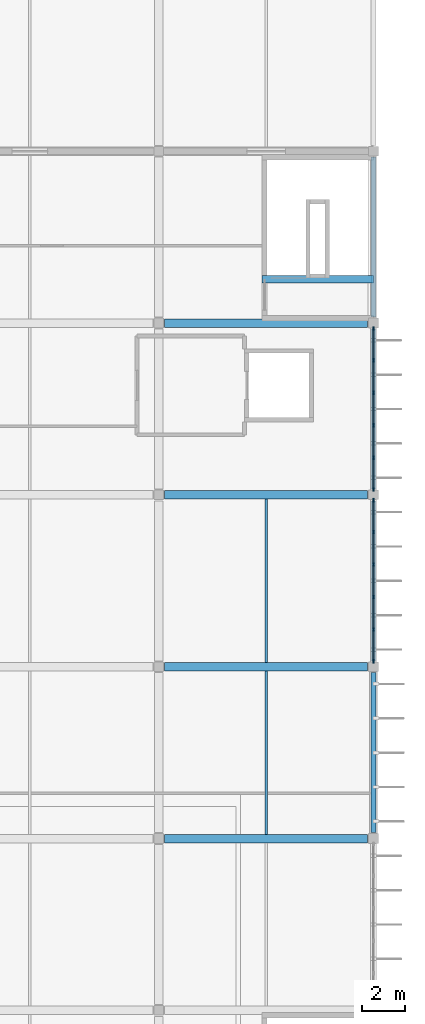
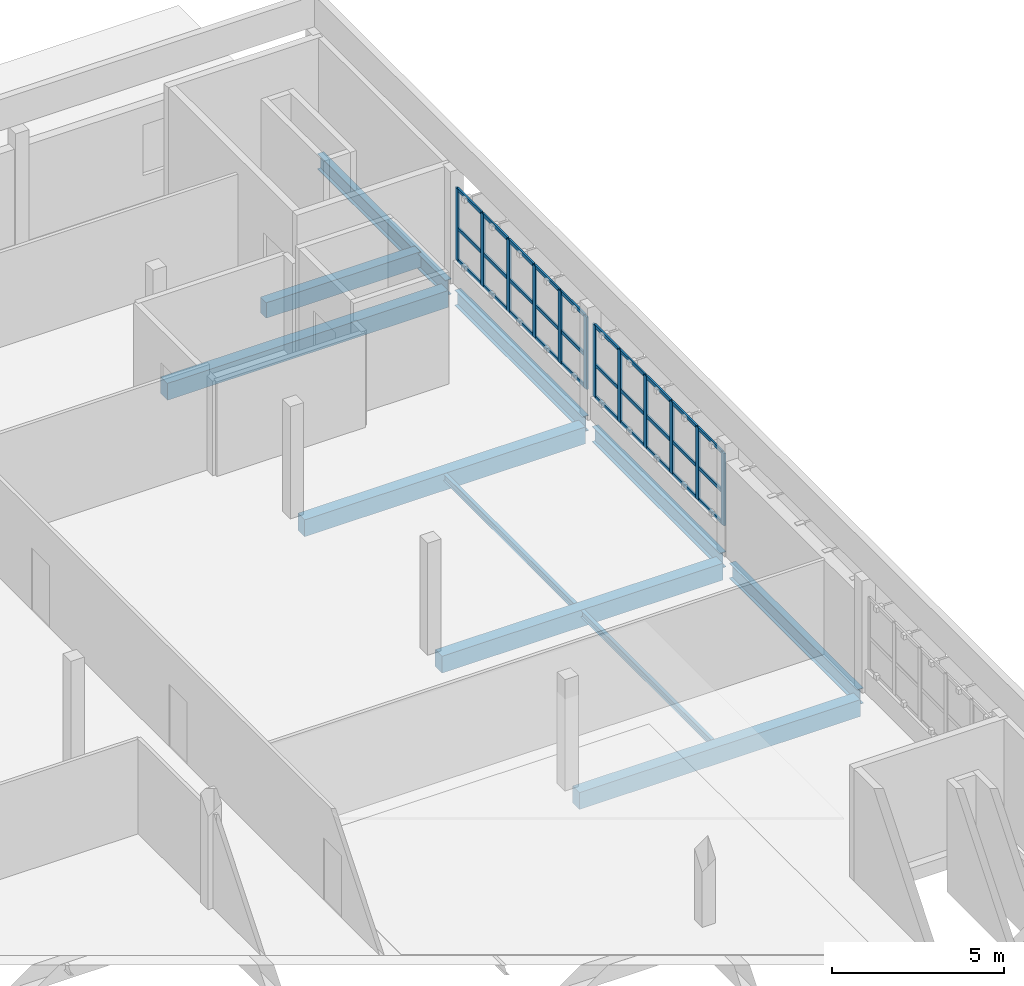
# One storey, part 6 of 12: 42 members, 11 beams, 2 elements without a shape of their own.
"""IFC4 building model written with IfcOpenShell, lengths in metres."""

from ifc_helpers import new_model, si_unit, direction, frame, origin, origin_2d, place, context, subcontext, project, spatial, rectangle, i_section, extrude, material, layer, layer_set, material_profile, profile_set, type_object, element, aggregate, save


model = new_model("IFC4")

# Units and contexts
model_context = context("Model", 3, precision=1e-05, world=origin(), true_north=direction((0.0, 1.0)))
body_context = subcontext(model_context, "Body", "Model", "MODEL_VIEW")
ifc_project = project(units=[si_unit("LENGTHUNIT", "METRE"), si_unit("AREAUNIT", "SQUARE_METRE"), si_unit("VOLUMEUNIT", "CUBIC_METRE"), si_unit("PLANEANGLEUNIT", "RADIAN"), si_unit("MASSUNIT", "GRAM", prefix="KILO")], contexts=[model_context])

# Site, building, storey
site_placement = place(None, origin())
site = spatial("IfcSite", under=ifc_project, at=site_placement, CompositionType="ELEMENT")
building_placement = place(site_placement, origin())
building = spatial("IfcBuilding", under=site, at=building_placement, Name="Drelvana Railside Aquatics Centre", CompositionType="ELEMENT")
storey_placement = place(building_placement, frame((0.0, 0.0, 18.60009765625)))
storey = spatial("IfcBuildingStorey", under=building, at=storey_placement, Name="L04", CompositionType="ELEMENT", Elevation=18.60009765625)

# Curtain wall, members
ifc_material_1 = material(Name="Bronze-anodised aluminium curtain wall", Category="aluminium")
ifc_layer = layer(ifc_material_1, 0.175048828125, Name="Bronze-anodised aluminium curtain wall")
ifc_layer_set = layer_set([ifc_layer], Name="Bronze-anodised aluminium curtain wall")
curtain_wall_type = type_object("IfcCurtainWallType", Name="CW-Z6-WING", PredefinedType="NOTDEFINED", material=ifc_layer_set)
curtain_wall_1_placement = place(storey_placement, origin())
curtain_wall_1 = element("IfcCurtainWall", 1, at=curtain_wall_1_placement, inside=storey, type_object=curtain_wall_type, Name="Curtain wall CW-06-179", PredefinedType="NOTDEFINED")
ifc_material_2 = material(Name="Bronze-anodised aluminium 6063-T6", Category="aluminium")
ifc_material_profile_1 = material_profile(ifc_material_2, rectangle(XDim=0.06494140625, YDim=0.175048828125, at=origin_2d()), Name="ALU-M 65x175")
ifc_profile_set_1 = profile_set([ifc_material_profile_1], Name="Bronze-anodised aluminium 6063-T6")
member_type_1 = type_object("IfcMemberType", Name="CW-Z6-WING-MUL", PredefinedType="MULLION", material=ifc_profile_set_1)
member_1_placement = place(storey_placement, frame((184.0, 56.25146484375, 0.7939453125), z_axis=(0.0, 0.0, 1.0), x_axis=(-1.0, 0.0, 0.0)))
member_1 = element("IfcMember", 2, at=member_1_placement, type_object=member_type_1, Name="CW-06 mullion 1", PredefinedType="MULLION", context=body_context, shape_type="SweptSolid", body=[
    extrude(rectangle(XDim=0.06494140625, YDim=0.175048828125, at=origin_2d()), origin(), (0.0, 0.0, 1.0), 2.571044921875),
])
member_2_placement = place(storey_placement, frame((184.0, 57.7314453125, 0.7939453125), z_axis=(0.0, 0.0, 1.0), x_axis=(-1.0, 0.0, 0.0)))
member_2 = element("IfcMember", 3, at=member_2_placement, type_object=member_type_1, Name="CW-06 mullion 2", PredefinedType="MULLION", context=body_context, shape_type="SweptSolid", body=[
    extrude(rectangle(XDim=0.06494140625, YDim=0.175048828125, at=origin_2d()), origin(), (0.0, 0.0, 1.0), 2.571044921875),
])
member_3_placement = place(storey_placement, frame((184.0, 59.243896484375, 0.7939453125), z_axis=(0.0, 0.0, 1.0), x_axis=(-1.0, 0.0, 0.0)))
member_3 = element("IfcMember", 4, at=member_3_placement, type_object=member_type_1, Name="CW-06 mullion 3", PredefinedType="MULLION", context=body_context, shape_type="SweptSolid", body=[
    extrude(rectangle(XDim=0.06494140625, YDim=0.175048828125, at=origin_2d()), origin(), (0.0, 0.0, 1.0), 2.571044921875),
])
member_4_placement = place(storey_placement, frame((184.0, 60.756103515625, 0.7939453125), z_axis=(0.0, 0.0, 1.0), x_axis=(-1.0, 0.0, 0.0)))
member_4 = element("IfcMember", 5, at=member_4_placement, type_object=member_type_1, Name="CW-06 mullion 4", PredefinedType="MULLION", context=body_context, shape_type="SweptSolid", body=[
    extrude(rectangle(XDim=0.06494140625, YDim=0.175048828125, at=origin_2d()), origin(), (0.0, 0.0, 1.0), 2.571044921875),
])
member_5_placement = place(storey_placement, frame((184.0, 62.2685546875, 0.7939453125), z_axis=(0.0, 0.0, 1.0), x_axis=(-1.0, 0.0, 0.0)))
member_5 = element("IfcMember", 6, at=member_5_placement, type_object=member_type_1, Name="CW-06 mullion 5", PredefinedType="MULLION", context=body_context, shape_type="SweptSolid", body=[
    extrude(rectangle(XDim=0.06494140625, YDim=0.175048828125, at=origin_2d()), origin(), (0.0, 0.0, 1.0), 2.571044921875),
])
member_6_placement = place(storey_placement, frame((184.0, 63.74853515625, 0.7939453125), z_axis=(0.0, 0.0, 1.0), x_axis=(-1.0, 0.0, 0.0)))
member_6 = element("IfcMember", 7, at=member_6_placement, type_object=member_type_1, Name="CW-06 mullion 6", PredefinedType="MULLION", context=body_context, shape_type="SweptSolid", body=[
    extrude(rectangle(XDim=0.06494140625, YDim=0.175048828125, at=origin_2d()), origin(), (0.0, 0.0, 1.0), 2.571044921875),
])

curtain_wall_2_placement = place(storey_placement, origin())
curtain_wall_2 = element("IfcCurtainWall", 8, at=curtain_wall_2_placement, inside=storey, type_object=curtain_wall_type, Name="Curtain wall CW-06-183", PredefinedType="NOTDEFINED")
member_7_placement = place(storey_placement, frame((184.0, 64.25146484375, 0.7939453125), z_axis=(0.0, 0.0, 1.0), x_axis=(-1.0, 0.0, 0.0)))
member_7 = element("IfcMember", 9, at=member_7_placement, type_object=member_type_1, Name="CW-06 mullion 1", PredefinedType="MULLION", context=body_context, shape_type="SweptSolid", body=[
    extrude(rectangle(XDim=0.06494140625, YDim=0.175048828125, at=origin_2d()), origin(), (0.0, 0.0, 1.0), 2.571044921875),
])
member_8_placement = place(storey_placement, frame((184.0, 65.7314453125, 0.7939453125), z_axis=(0.0, 0.0, 1.0), x_axis=(-1.0, 0.0, 0.0)))
member_8 = element("IfcMember", 10, at=member_8_placement, type_object=member_type_1, Name="CW-06 mullion 2", PredefinedType="MULLION", context=body_context, shape_type="SweptSolid", body=[
    extrude(rectangle(XDim=0.06494140625, YDim=0.175048828125, at=origin_2d()), origin(), (0.0, 0.0, 1.0), 2.571044921875),
])
member_9_placement = place(storey_placement, frame((184.0, 67.243896484375, 0.7939453125), z_axis=(0.0, 0.0, 1.0), x_axis=(-1.0, 0.0, 0.0)))
member_9 = element("IfcMember", 11, at=member_9_placement, type_object=member_type_1, Name="CW-06 mullion 3", PredefinedType="MULLION", context=body_context, shape_type="SweptSolid", body=[
    extrude(rectangle(XDim=0.06494140625, YDim=0.175048828125, at=origin_2d()), origin(), (0.0, 0.0, 1.0), 2.571044921875),
])
member_10_placement = place(storey_placement, frame((184.0, 68.756103515625, 0.7939453125), z_axis=(0.0, 0.0, 1.0), x_axis=(-1.0, 0.0, 0.0)))
member_10 = element("IfcMember", 12, at=member_10_placement, type_object=member_type_1, Name="CW-06 mullion 4", PredefinedType="MULLION", context=body_context, shape_type="SweptSolid", body=[
    extrude(rectangle(XDim=0.06494140625, YDim=0.175048828125, at=origin_2d()), origin(), (0.0, 0.0, 1.0), 2.571044921875),
])
member_11_placement = place(storey_placement, frame((184.0, 70.2685546875, 0.7939453125), z_axis=(0.0, 0.0, 1.0), x_axis=(-1.0, 0.0, 0.0)))
member_11 = element("IfcMember", 13, at=member_11_placement, type_object=member_type_1, Name="CW-06 mullion 5", PredefinedType="MULLION", context=body_context, shape_type="SweptSolid", body=[
    extrude(rectangle(XDim=0.06494140625, YDim=0.175048828125, at=origin_2d()), origin(), (0.0, 0.0, 1.0), 2.571044921875),
])
member_12_placement = place(storey_placement, frame((184.0, 71.74853515625, 0.7939453125), z_axis=(0.0, 0.0, 1.0), x_axis=(-1.0, 0.0, 0.0)))
member_12 = element("IfcMember", 14, at=member_12_placement, type_object=member_type_1, Name="CW-06 mullion 6", PredefinedType="MULLION", context=body_context, shape_type="SweptSolid", body=[
    extrude(rectangle(XDim=0.06494140625, YDim=0.175048828125, at=origin_2d()), origin(), (0.0, 0.0, 1.0), 2.571044921875),
])

# Member
ifc_material_profile_2 = material_profile(ifc_material_2, rectangle(XDim=0.1201171875, YDim=0.06005859375, at=origin_2d()), Name="ALU-T 60x120")
ifc_profile_set_2 = profile_set([ifc_material_profile_2], Name="Bronze-anodised aluminium 6063-T6")
member_type_2 = type_object("IfcMemberType", Name="CW-Z6-WING-TRN", PredefinedType="USERDEFINED", material=ifc_profile_set_2)
member_13_placement = place(storey_placement, frame((184.0, 56.279052734375, 0.823974609375), z_axis=(0.0, 1.0, 0.0), x_axis=(0.0, 0.0, 1.0)))
member_13 = element("IfcMember", 15, at=member_13_placement, type_object=member_type_2, Name="CW-06 transom 1.1", ObjectType="TRANSOM", PredefinedType="USERDEFINED", context=body_context, shape_type="SweptSolid", body=[
    extrude(rectangle(XDim=0.1201171875, YDim=0.06005859375, at=origin_2d()), origin(), (0.0, 0.0, 1.0), 1.4248046875),
])

member_14_placement = place(storey_placement, frame((184.0, 56.279052734375, 1.950927734375), z_axis=(0.0, 1.0, 0.0), x_axis=(0.0, 0.0, 1.0)))
member_14 = element("IfcMember", 16, at=member_14_placement, type_object=member_type_2, Name="CW-06 transom 1.2", ObjectType="TRANSOM", PredefinedType="USERDEFINED", context=body_context, shape_type="SweptSolid", body=[
    extrude(rectangle(XDim=0.1201171875, YDim=0.06005859375, at=origin_2d()), origin(), (0.0, 0.0, 1.0), 1.4248046875),
])

member_15_placement = place(storey_placement, frame((184.0, 56.279052734375, 3.3349609375), z_axis=(0.0, 1.0, 0.0), x_axis=(0.0, 0.0, 1.0)))
member_15 = element("IfcMember", 17, at=member_15_placement, type_object=member_type_2, Name="CW-06 transom 1.3", ObjectType="TRANSOM", PredefinedType="USERDEFINED", context=body_context, shape_type="SweptSolid", body=[
    extrude(rectangle(XDim=0.1201171875, YDim=0.06005859375, at=origin_2d()), origin(), (0.0, 0.0, 1.0), 1.4248046875),
])

member_16_placement = place(storey_placement, frame((184.0, 57.7587890625, 0.823974609375), z_axis=(0.0, 1.0, 0.0), x_axis=(0.0, 0.0, 1.0)))
member_16 = element("IfcMember", 18, at=member_16_placement, type_object=member_type_2, Name="CW-06 transom 2.1", ObjectType="TRANSOM", PredefinedType="USERDEFINED", context=body_context, shape_type="SweptSolid", body=[
    extrude(rectangle(XDim=0.1201171875, YDim=0.06005859375, at=origin_2d()), origin(), (0.0, 0.0, 1.0), 1.45751953125),
])

member_17_placement = place(storey_placement, frame((184.0, 57.7587890625, 1.950927734375), z_axis=(0.0, 1.0, 0.0), x_axis=(0.0, 0.0, 1.0)))
member_17 = element("IfcMember", 19, at=member_17_placement, type_object=member_type_2, Name="CW-06 transom 2.2", ObjectType="TRANSOM", PredefinedType="USERDEFINED", context=body_context, shape_type="SweptSolid", body=[
    extrude(rectangle(XDim=0.1201171875, YDim=0.06005859375, at=origin_2d()), origin(), (0.0, 0.0, 1.0), 1.45751953125),
])

member_18_placement = place(storey_placement, frame((184.0, 57.7587890625, 3.3349609375), z_axis=(0.0, 1.0, 0.0), x_axis=(0.0, 0.0, 1.0)))
member_18 = element("IfcMember", 20, at=member_18_placement, type_object=member_type_2, Name="CW-06 transom 2.3", ObjectType="TRANSOM", PredefinedType="USERDEFINED", context=body_context, shape_type="SweptSolid", body=[
    extrude(rectangle(XDim=0.1201171875, YDim=0.06005859375, at=origin_2d()), origin(), (0.0, 0.0, 1.0), 1.45751953125),
])

member_19_placement = place(storey_placement, frame((184.0, 59.271240234375, 0.823974609375), z_axis=(0.0, 1.0, 0.0), x_axis=(0.0, 0.0, 1.0)))
member_19 = element("IfcMember", 21, at=member_19_placement, type_object=member_type_2, Name="CW-06 transom 3.1", ObjectType="TRANSOM", PredefinedType="USERDEFINED", context=body_context, shape_type="SweptSolid", body=[
    extrude(rectangle(XDim=0.1201171875, YDim=0.06005859375, at=origin_2d()), origin(), (0.0, 0.0, 1.0), 1.45751953125),
])

member_20_placement = place(storey_placement, frame((184.0, 59.271240234375, 1.950927734375), z_axis=(0.0, 1.0, 0.0), x_axis=(0.0, 0.0, 1.0)))
member_20 = element("IfcMember", 22, at=member_20_placement, type_object=member_type_2, Name="CW-06 transom 3.2", ObjectType="TRANSOM", PredefinedType="USERDEFINED", context=body_context, shape_type="SweptSolid", body=[
    extrude(rectangle(XDim=0.1201171875, YDim=0.06005859375, at=origin_2d()), origin(), (0.0, 0.0, 1.0), 1.45751953125),
])

member_21_placement = place(storey_placement, frame((184.0, 59.271240234375, 3.3349609375), z_axis=(0.0, 1.0, 0.0), x_axis=(0.0, 0.0, 1.0)))
member_21 = element("IfcMember", 23, at=member_21_placement, type_object=member_type_2, Name="CW-06 transom 3.3", ObjectType="TRANSOM", PredefinedType="USERDEFINED", context=body_context, shape_type="SweptSolid", body=[
    extrude(rectangle(XDim=0.1201171875, YDim=0.06005859375, at=origin_2d()), origin(), (0.0, 0.0, 1.0), 1.45751953125),
])

member_22_placement = place(storey_placement, frame((184.0, 60.78369140625, 0.823974609375), z_axis=(0.0, 1.0, 0.0), x_axis=(0.0, 0.0, 1.0)))
member_22 = element("IfcMember", 24, at=member_22_placement, type_object=member_type_2, Name="CW-06 transom 4.1", ObjectType="TRANSOM", PredefinedType="USERDEFINED", context=body_context, shape_type="SweptSolid", body=[
    extrude(rectangle(XDim=0.1201171875, YDim=0.06005859375, at=origin_2d()), origin(), (0.0, 0.0, 1.0), 1.45751953125),
])

member_23_placement = place(storey_placement, frame((184.0, 60.78369140625, 1.950927734375), z_axis=(0.0, 1.0, 0.0), x_axis=(0.0, 0.0, 1.0)))
member_23 = element("IfcMember", 25, at=member_23_placement, type_object=member_type_2, Name="CW-06 transom 4.2", ObjectType="TRANSOM", PredefinedType="USERDEFINED", context=body_context, shape_type="SweptSolid", body=[
    extrude(rectangle(XDim=0.1201171875, YDim=0.06005859375, at=origin_2d()), origin(), (0.0, 0.0, 1.0), 1.45751953125),
])

member_24_placement = place(storey_placement, frame((184.0, 60.78369140625, 3.3349609375), z_axis=(0.0, 1.0, 0.0), x_axis=(0.0, 0.0, 1.0)))
member_24 = element("IfcMember", 26, at=member_24_placement, type_object=member_type_2, Name="CW-06 transom 4.3", ObjectType="TRANSOM", PredefinedType="USERDEFINED", context=body_context, shape_type="SweptSolid", body=[
    extrude(rectangle(XDim=0.1201171875, YDim=0.06005859375, at=origin_2d()), origin(), (0.0, 0.0, 1.0), 1.45751953125),
])

member_25_placement = place(storey_placement, frame((184.0, 62.296142578125, 0.823974609375), z_axis=(0.0, 1.0, 0.0), x_axis=(0.0, 0.0, 1.0)))
member_25 = element("IfcMember", 27, at=member_25_placement, type_object=member_type_2, Name="CW-06 transom 5.1", ObjectType="TRANSOM", PredefinedType="USERDEFINED", context=body_context, shape_type="SweptSolid", body=[
    extrude(rectangle(XDim=0.1201171875, YDim=0.06005859375, at=origin_2d()), origin(), (0.0, 0.0, 1.0), 1.4248046875),
])

member_26_placement = place(storey_placement, frame((184.0, 62.296142578125, 1.950927734375), z_axis=(0.0, 1.0, 0.0), x_axis=(0.0, 0.0, 1.0)))
member_26 = element("IfcMember", 28, at=member_26_placement, type_object=member_type_2, Name="CW-06 transom 5.2", ObjectType="TRANSOM", PredefinedType="USERDEFINED", context=body_context, shape_type="SweptSolid", body=[
    extrude(rectangle(XDim=0.1201171875, YDim=0.06005859375, at=origin_2d()), origin(), (0.0, 0.0, 1.0), 1.4248046875),
])

member_27_placement = place(storey_placement, frame((184.0, 62.296142578125, 3.3349609375), z_axis=(0.0, 1.0, 0.0), x_axis=(0.0, 0.0, 1.0)))
member_27 = element("IfcMember", 29, at=member_27_placement, type_object=member_type_2, Name="CW-06 transom 5.3", ObjectType="TRANSOM", PredefinedType="USERDEFINED", context=body_context, shape_type="SweptSolid", body=[
    extrude(rectangle(XDim=0.1201171875, YDim=0.06005859375, at=origin_2d()), origin(), (0.0, 0.0, 1.0), 1.4248046875),
])

aggregate(curtain_wall_1, [member_1, member_2, member_3, member_4, member_5, member_6, member_13, member_14, member_15, member_16, member_17, member_18, member_19, member_20, member_21, member_22, member_23, member_24, member_25, member_26, member_27])

member_28_placement = place(storey_placement, frame((184.0, 64.279052734375, 0.823974609375), z_axis=(0.0, 1.0, 0.0), x_axis=(0.0, 0.0, 1.0)))
member_28 = element("IfcMember", 30, at=member_28_placement, type_object=member_type_2, Name="CW-06 transom 1.1", ObjectType="TRANSOM", PredefinedType="USERDEFINED", context=body_context, shape_type="SweptSolid", body=[
    extrude(rectangle(XDim=0.1201171875, YDim=0.06005859375, at=origin_2d()), origin(), (0.0, 0.0, 1.0), 1.4248046875),
])

member_29_placement = place(storey_placement, frame((184.0, 64.279052734375, 1.950927734375), z_axis=(0.0, 1.0, 0.0), x_axis=(0.0, 0.0, 1.0)))
member_29 = element("IfcMember", 31, at=member_29_placement, type_object=member_type_2, Name="CW-06 transom 1.2", ObjectType="TRANSOM", PredefinedType="USERDEFINED", context=body_context, shape_type="SweptSolid", body=[
    extrude(rectangle(XDim=0.1201171875, YDim=0.06005859375, at=origin_2d()), origin(), (0.0, 0.0, 1.0), 1.4248046875),
])

member_30_placement = place(storey_placement, frame((184.0, 64.279052734375, 3.3349609375), z_axis=(0.0, 1.0, 0.0), x_axis=(0.0, 0.0, 1.0)))
member_30 = element("IfcMember", 32, at=member_30_placement, type_object=member_type_2, Name="CW-06 transom 1.3", ObjectType="TRANSOM", PredefinedType="USERDEFINED", context=body_context, shape_type="SweptSolid", body=[
    extrude(rectangle(XDim=0.1201171875, YDim=0.06005859375, at=origin_2d()), origin(), (0.0, 0.0, 1.0), 1.4248046875),
])

member_31_placement = place(storey_placement, frame((184.0, 65.7587890625, 0.823974609375), z_axis=(0.0, 1.0, 0.0), x_axis=(0.0, 0.0, 1.0)))
member_31 = element("IfcMember", 33, at=member_31_placement, type_object=member_type_2, Name="CW-06 transom 2.1", ObjectType="TRANSOM", PredefinedType="USERDEFINED", context=body_context, shape_type="SweptSolid", body=[
    extrude(rectangle(XDim=0.1201171875, YDim=0.06005859375, at=origin_2d()), origin(), (0.0, 0.0, 1.0), 1.45751953125),
])

member_32_placement = place(storey_placement, frame((184.0, 65.7587890625, 1.950927734375), z_axis=(0.0, 1.0, 0.0), x_axis=(0.0, 0.0, 1.0)))
member_32 = element("IfcMember", 34, at=member_32_placement, type_object=member_type_2, Name="CW-06 transom 2.2", ObjectType="TRANSOM", PredefinedType="USERDEFINED", context=body_context, shape_type="SweptSolid", body=[
    extrude(rectangle(XDim=0.1201171875, YDim=0.06005859375, at=origin_2d()), origin(), (0.0, 0.0, 1.0), 1.45751953125),
])

member_33_placement = place(storey_placement, frame((184.0, 65.7587890625, 3.3349609375), z_axis=(0.0, 1.0, 0.0), x_axis=(0.0, 0.0, 1.0)))
member_33 = element("IfcMember", 35, at=member_33_placement, type_object=member_type_2, Name="CW-06 transom 2.3", ObjectType="TRANSOM", PredefinedType="USERDEFINED", context=body_context, shape_type="SweptSolid", body=[
    extrude(rectangle(XDim=0.1201171875, YDim=0.06005859375, at=origin_2d()), origin(), (0.0, 0.0, 1.0), 1.45751953125),
])

member_34_placement = place(storey_placement, frame((184.0, 67.271240234375, 0.823974609375), z_axis=(0.0, 1.0, 0.0), x_axis=(0.0, 0.0, 1.0)))
member_34 = element("IfcMember", 36, at=member_34_placement, type_object=member_type_2, Name="CW-06 transom 3.1", ObjectType="TRANSOM", PredefinedType="USERDEFINED", context=body_context, shape_type="SweptSolid", body=[
    extrude(rectangle(XDim=0.1201171875, YDim=0.06005859375, at=origin_2d()), origin(), (0.0, 0.0, 1.0), 1.45751953125),
])

member_35_placement = place(storey_placement, frame((184.0, 67.271240234375, 1.950927734375), z_axis=(0.0, 1.0, 0.0), x_axis=(0.0, 0.0, 1.0)))
member_35 = element("IfcMember", 37, at=member_35_placement, type_object=member_type_2, Name="CW-06 transom 3.2", ObjectType="TRANSOM", PredefinedType="USERDEFINED", context=body_context, shape_type="SweptSolid", body=[
    extrude(rectangle(XDim=0.1201171875, YDim=0.06005859375, at=origin_2d()), origin(), (0.0, 0.0, 1.0), 1.45751953125),
])

member_36_placement = place(storey_placement, frame((184.0, 67.271240234375, 3.3349609375), z_axis=(0.0, 1.0, 0.0), x_axis=(0.0, 0.0, 1.0)))
member_36 = element("IfcMember", 38, at=member_36_placement, type_object=member_type_2, Name="CW-06 transom 3.3", ObjectType="TRANSOM", PredefinedType="USERDEFINED", context=body_context, shape_type="SweptSolid", body=[
    extrude(rectangle(XDim=0.1201171875, YDim=0.06005859375, at=origin_2d()), origin(), (0.0, 0.0, 1.0), 1.45751953125),
])

member_37_placement = place(storey_placement, frame((184.0, 68.78369140625, 0.823974609375), z_axis=(0.0, 1.0, 0.0), x_axis=(0.0, 0.0, 1.0)))
member_37 = element("IfcMember", 39, at=member_37_placement, type_object=member_type_2, Name="CW-06 transom 4.1", ObjectType="TRANSOM", PredefinedType="USERDEFINED", context=body_context, shape_type="SweptSolid", body=[
    extrude(rectangle(XDim=0.1201171875, YDim=0.06005859375, at=origin_2d()), origin(), (0.0, 0.0, 1.0), 1.45751953125),
])

member_38_placement = place(storey_placement, frame((184.0, 68.78369140625, 1.950927734375), z_axis=(0.0, 1.0, 0.0), x_axis=(0.0, 0.0, 1.0)))
member_38 = element("IfcMember", 40, at=member_38_placement, type_object=member_type_2, Name="CW-06 transom 4.2", ObjectType="TRANSOM", PredefinedType="USERDEFINED", context=body_context, shape_type="SweptSolid", body=[
    extrude(rectangle(XDim=0.1201171875, YDim=0.06005859375, at=origin_2d()), origin(), (0.0, 0.0, 1.0), 1.45751953125),
])

member_39_placement = place(storey_placement, frame((184.0, 68.78369140625, 3.3349609375), z_axis=(0.0, 1.0, 0.0), x_axis=(0.0, 0.0, 1.0)))
member_39 = element("IfcMember", 41, at=member_39_placement, type_object=member_type_2, Name="CW-06 transom 4.3", ObjectType="TRANSOM", PredefinedType="USERDEFINED", context=body_context, shape_type="SweptSolid", body=[
    extrude(rectangle(XDim=0.1201171875, YDim=0.06005859375, at=origin_2d()), origin(), (0.0, 0.0, 1.0), 1.45751953125),
])

member_40_placement = place(storey_placement, frame((184.0, 70.296142578125, 0.823974609375), z_axis=(0.0, 1.0, 0.0), x_axis=(0.0, 0.0, 1.0)))
member_40 = element("IfcMember", 42, at=member_40_placement, type_object=member_type_2, Name="CW-06 transom 5.1", ObjectType="TRANSOM", PredefinedType="USERDEFINED", context=body_context, shape_type="SweptSolid", body=[
    extrude(rectangle(XDim=0.1201171875, YDim=0.06005859375, at=origin_2d()), origin(), (0.0, 0.0, 1.0), 1.4248046875),
])

member_41_placement = place(storey_placement, frame((184.0, 70.296142578125, 1.950927734375), z_axis=(0.0, 1.0, 0.0), x_axis=(0.0, 0.0, 1.0)))
member_41 = element("IfcMember", 43, at=member_41_placement, type_object=member_type_2, Name="CW-06 transom 5.2", ObjectType="TRANSOM", PredefinedType="USERDEFINED", context=body_context, shape_type="SweptSolid", body=[
    extrude(rectangle(XDim=0.1201171875, YDim=0.06005859375, at=origin_2d()), origin(), (0.0, 0.0, 1.0), 1.4248046875),
])

member_42_placement = place(storey_placement, frame((184.0, 70.296142578125, 3.3349609375), z_axis=(0.0, 1.0, 0.0), x_axis=(0.0, 0.0, 1.0)))
member_42 = element("IfcMember", 44, at=member_42_placement, type_object=member_type_2, Name="CW-06 transom 5.3", ObjectType="TRANSOM", PredefinedType="USERDEFINED", context=body_context, shape_type="SweptSolid", body=[
    extrude(rectangle(XDim=0.1201171875, YDim=0.06005859375, at=origin_2d()), origin(), (0.0, 0.0, 1.0), 1.4248046875),
])

aggregate(curtain_wall_2, [member_7, member_8, member_9, member_10, member_11, member_12, member_28, member_29, member_30, member_31, member_32, member_33, member_34, member_35, member_36, member_37, member_38, member_39, member_40, member_41, member_42])

# Beams
ifc_material_3 = material(Name="Concrete C40/50", Category="concrete")
ifc_material_profile_3 = material_profile(ifc_material_3, rectangle(XDim=0.35009765625, YDim=0.550048828125, at=origin_2d()), Name="RC 350x550")
ifc_profile_set_3 = profile_set([ifc_material_profile_3], Name="Concrete C40/50")
beam_type_1 = type_object("IfcBeamType", Name="STR-BM-BM-01-RC-350x550", PredefinedType="BEAM", material=ifc_profile_set_3)
beam_placement = place(storey_placement, frame((178.800048828125, 74.050048828125, -0.47509765625), z_axis=(1.0, 0.0, 0.0), x_axis=(0.0, 1.0, 0.0)))
element("IfcBeam", 45, at=beam_placement, inside=storey, type_object=beam_type_1, Name="Stair ST-07 L04 landing beam", PredefinedType="BEAM", context=body_context, shape_type="SweptSolid", body=[
    extrude(rectangle(XDim=0.35009765625, YDim=0.550048828125, at=origin_2d()), origin(), (0.0, 0.0, 1.0), 5.199951171875),
])
ifc_material_profile_4 = material_profile(ifc_material_3, rectangle(XDim=0.39990234375, YDim=0.60009765625, at=origin_2d()), Name="RC 400x600")
ifc_profile_set_4 = profile_set([ifc_material_profile_4], Name="Concrete C40/50")
beam_type_2 = type_object("IfcBeamType", Name="STR-BM-BM-02-RC-400x600", PredefinedType="BEAM", material=ifc_profile_set_4)
for number, where, z_axis, x_axis, name in (
    (46, (174.27490234375, 48.0, -0.525146484375), (1.0, 0.0, 0.0), (0.0, 1.0, 0.0), "Girder BM-02 (L04)"),
    (47, (174.27490234375, 56.0, -0.525146484375), (1.0, 0.0, 0.0), (0.0, 1.0, 0.0), "Girder BM-02 (L04)"),
    (48, (174.27490234375, 64.0, -0.525146484375), (1.0, 0.0, 0.0), (0.0, 1.0, 0.0), "Girder BM-02 (L04)"),
    (49, (174.27490234375, 72.0, -0.525146484375), (1.0, 0.0, 0.0), (0.0, 1.0, 0.0), "Girder BM-02 (L04)"),
):
    element("IfcBeam", number, at=place(storey_placement, frame(where, z_axis=z_axis, x_axis=x_axis)), inside=storey, type_object=beam_type_2, Name=name, PredefinedType="BEAM", context=body_context, shape_type="SweptSolid", body=[
        extrude(rectangle(XDim=0.39990234375, YDim=0.60009765625, at=origin_2d()), origin(), (0.0, 0.0, 1.0), 9.4501953125),
    ])
ifc_material_4 = material(Name="Structural steel S355", Category="steel")
ifc_material_profile_5 = material_profile(ifc_material_4, i_section(OverallWidth=0.2099609375, OverallDepth=0.550048828125, WebThickness=0.010986328125, FlangeThickness=0.01708984375, at=origin_2d()), Name="IPE 550")
ifc_profile_set_5 = profile_set([ifc_material_profile_5], Name="Structural steel S355")
beam_type_3 = type_object("IfcBeamType", Name="STR-SBM-SB-04-IPE-550", PredefinedType="SPANDREL", material=ifc_profile_set_5)
for number, where, z_axis, x_axis, name in (
    (50, (184.0, 48.27490234375, -0.5), (0.0, 1.0, 0.0), (-1.0, 0.0, 0.0), "Girder SB-04 (L04)"),
    (51, (184.0, 56.27490234375, -0.5), (0.0, 1.0, 0.0), (-1.0, 0.0, 0.0), "Girder SB-04 (L04)"),
    (52, (184.0, 64.27490234375, -0.5), (0.0, 1.0, 0.0), (-1.0, 0.0, 0.0), "Girder SB-04 (L04)"),
    (53, (184.0, 72.27490234375, -0.5), (0.0, 1.0, 0.0), (-1.0, 0.0, 0.0), "Girder SB-04 (L04)"),
):
    element("IfcBeam", number, at=place(storey_placement, frame(where, z_axis=z_axis, x_axis=x_axis)), inside=storey, type_object=beam_type_3, Name=name, PredefinedType="SPANDREL", context=body_context, shape_type="SweptSolid", body=[
        extrude(i_section(OverallWidth=0.2099609375, OverallDepth=0.550048828125, WebThickness=0.010986328125, FlangeThickness=0.01708984375, at=origin_2d()), origin(), (0.0, 0.0, 1.0), 7.4501953125),
    ])
ifc_material_profile_6 = material_profile(ifc_material_4, i_section(OverallWidth=0.1201171875, OverallDepth=0.239990234375, WebThickness=0.006103515625, FlangeThickness=0.009765625, at=origin_2d()), Name="IPE 240")
ifc_profile_set_6 = profile_set([ifc_material_profile_6], Name="Structural steel S355")
beam_type_4 = type_object("IfcBeamType", Name="STR-SBM-SJ-01-IPE-240", PredefinedType="JOIST", material=ifc_profile_set_6)
for number, where, z_axis, x_axis, name in (
    (54, (179.0, 48.199951171875, -0.34521484375), (0.0, 1.0, 0.0), (-1.0, 0.0, 0.0), "Secondary floor joist SJ-01 (L04)"),
    (55, (179.0, 56.199951171875, -0.34521484375), (0.0, 1.0, 0.0), (-1.0, 0.0, 0.0), "Secondary floor joist SJ-01 (L04)"),
):
    element("IfcBeam", number, at=place(storey_placement, frame(where, z_axis=z_axis, x_axis=x_axis)), inside=storey, type_object=beam_type_4, Name=name, PredefinedType="JOIST", context=body_context, shape_type="SweptSolid", body=[
        extrude(i_section(OverallWidth=0.1201171875, OverallDepth=0.239990234375, WebThickness=0.006103515625, FlangeThickness=0.009765625, at=origin_2d()), origin(), (0.0, 0.0, 1.0), 7.60009765625),
    ])

save(model, "model.ifc")
